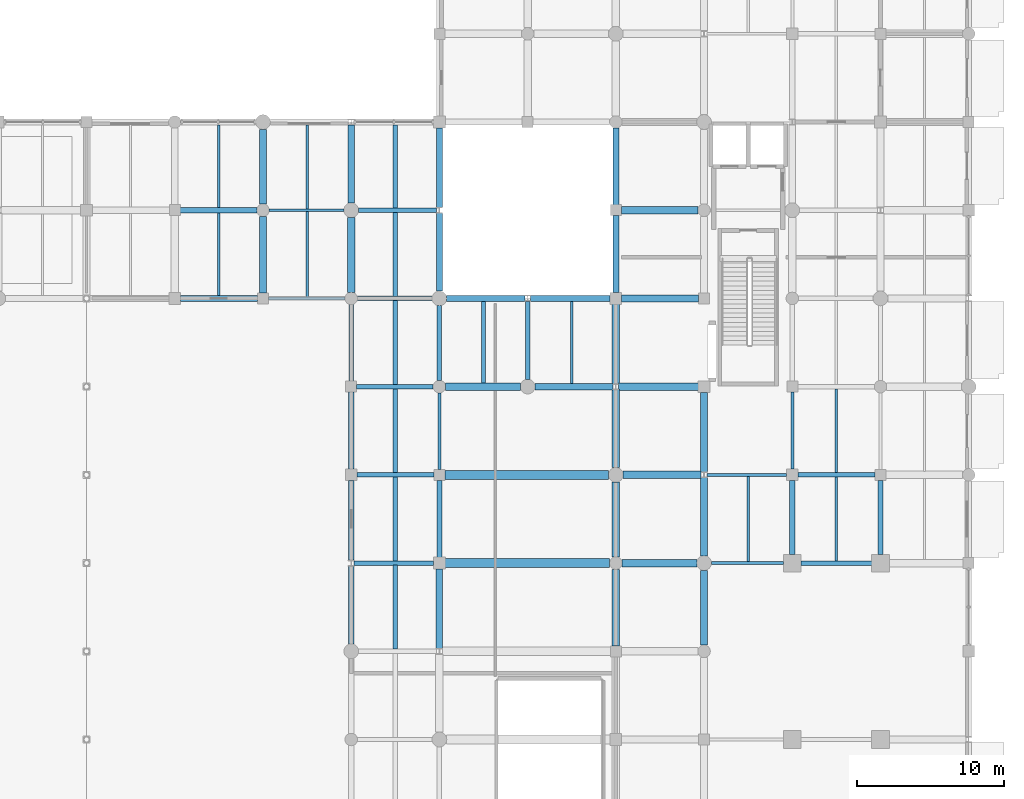
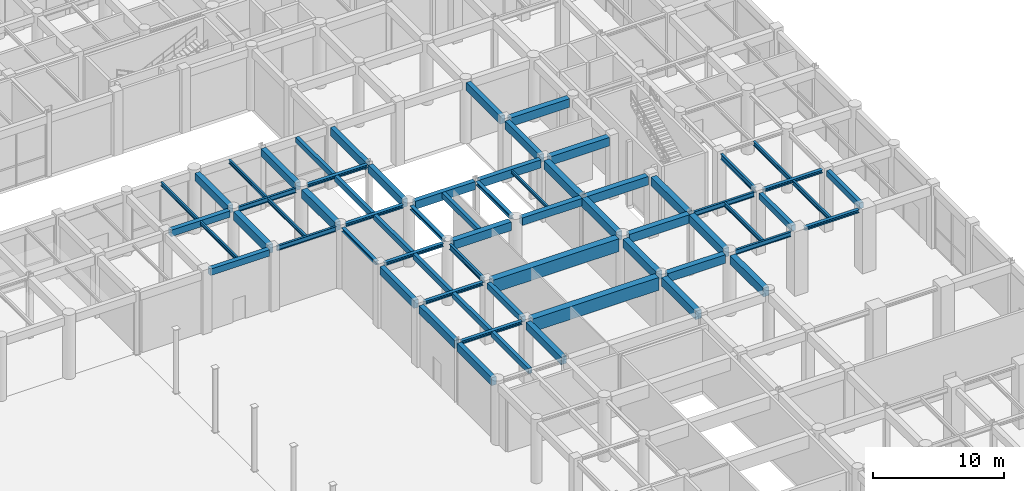
# One storey, part 60 of 106: 66 beams.
"""IFC4 building model written with IfcOpenShell, lengths in metres."""

from ifc_helpers import new_model, si_unit, direction, frame, origin, origin_2d, place, context, subcontext, project, spatial, rectangle, i_section, extrude, material, material_profile, profile_set, type_object, element, save


model = new_model("IFC4")

# Units and contexts
model_context = context("Model", 3, precision=1e-05, world=origin(), true_north=direction((0.0, 1.0)))
body_context = subcontext(model_context, "Body", "Model", "MODEL_VIEW")
ifc_project = project(units=[si_unit("LENGTHUNIT", "METRE"), si_unit("AREAUNIT", "SQUARE_METRE"), si_unit("VOLUMEUNIT", "CUBIC_METRE"), si_unit("PLANEANGLEUNIT", "RADIAN"), si_unit("MASSUNIT", "GRAM", prefix="KILO"), si_unit("THERMODYNAMICTEMPERATUREUNIT", "KELVIN"), si_unit("POWERUNIT", "WATT")], contexts=[model_context])

# Site, building, storey
site_placement = place(None, origin())
site = spatial("IfcSite", under=ifc_project, at=site_placement, CompositionType="ELEMENT")
building_placement = place(site_placement, origin())
building = spatial("IfcBuilding", under=site, at=building_placement, Name="Phaisarnlok Congress Hotel", CompositionType="ELEMENT")
storey_placement = place(building_placement, origin())
storey = spatial("IfcBuildingStorey", under=building, at=storey_placement, Name="L00", CompositionType="ELEMENT", Elevation=0.0)

# Beams
ifc_material_1 = material(Name="Concrete C40/50", Category="concrete")
ifc_material_profile_1 = material_profile(ifc_material_1, rectangle(XDim=0.35009765625, YDim=0.550048828125, at=origin_2d()), Name="RC 350x550")
ifc_profile_set_1 = profile_set([ifc_material_profile_1], Name="Concrete C40/50")
beam_type_1 = type_object("IfcBeamType", Name="BM-RC-350x550", PredefinedType="BEAM", material=ifc_profile_set_1)
beam_1_placement = place(storey_placement, frame((144.0, 66.39501953125, 5.465087890625), z_axis=(0.0, 1.0, 0.0), x_axis=(-1.0, 0.0, 0.0)))
element("IfcBeam", 1, at=beam_1_placement, inside=storey, type_object=beam_type_1, Name="Beam B-01", PredefinedType="BEAM", context=body_context, shape_type="SweptSolid", body=[
    extrude(rectangle(XDim=0.35009765625, YDim=0.550048828125, at=origin_2d()), origin(), (0.0, 0.0, 1.0), 5.23486328125),
])
beam_2_placement = place(storey_placement, frame((168.0, 66.594970703125, 5.465087890625), z_axis=(0.0, 1.0, 0.0), x_axis=(-1.0, 0.0, 0.0)))
element("IfcBeam", 2, at=beam_2_placement, inside=storey, type_object=beam_type_1, Name="Beam B-01", PredefinedType="BEAM", context=body_context, shape_type="SweptSolid", body=[
    extrude(rectangle(XDim=0.35009765625, YDim=0.550048828125, at=origin_2d()), origin(), (0.0, 0.0, 1.0), 5.010009765625),
])
beam_3_placement = place(storey_placement, frame((174.0, 66.594970703125, 5.465087890625), z_axis=(0.0, 1.0, 0.0), x_axis=(-1.0, 0.0, 0.0)))
element("IfcBeam", 3, at=beam_3_placement, inside=storey, type_object=beam_type_1, Name="Beam B-01", PredefinedType="BEAM", context=body_context, shape_type="SweptSolid", body=[
    extrude(rectangle(XDim=0.35009765625, YDim=0.550048828125, at=origin_2d()), origin(), (0.0, 0.0, 1.0), 5.034912109375),
])
ifc_material_profile_2 = material_profile(ifc_material_1, rectangle(XDim=0.39990234375, YDim=0.60009765625, at=origin_2d()), Name="RC 400x600")
ifc_profile_set_2 = profile_set([ifc_material_profile_2], Name="Concrete C40/50")
beam_type_2 = type_object("IfcBeamType", Name="BM-RC-400x600", PredefinedType="BEAM", material=ifc_profile_set_2)
beam_4_placement = place(storey_placement, frame((126.39501953125, 84.0, 5.43994140625), z_axis=(1.0, 0.0, 0.0), x_axis=(0.0, 1.0, 0.0)))
element("IfcBeam", 4, at=beam_4_placement, inside=storey, type_object=beam_type_2, Name="Beam B-02", PredefinedType="BEAM", context=body_context, shape_type="SweptSolid", body=[
    extrude(rectangle(XDim=0.39990234375, YDim=0.60009765625, at=origin_2d()), origin(), (0.0, 0.0, 1.0), 5.23486328125),
])
beam_5_placement = place(storey_placement, frame((126.3701171875, 90.0, 5.43994140625), z_axis=(1.0, 0.0, 0.0), x_axis=(0.0, 1.0, 0.0)))
element("IfcBeam", 5, at=beam_5_placement, inside=storey, type_object=beam_type_2, Name="Beam B-02", PredefinedType="BEAM", context=body_context, shape_type="SweptSolid", body=[
    extrude(rectangle(XDim=0.39990234375, YDim=0.60009765625, at=origin_2d()), origin(), (0.0, 0.0, 1.0), 5.2099609375),
])
ifc_material_profile_3 = material_profile(ifc_material_1, rectangle(XDim=0.449951171875, YDim=0.699951171875, at=origin_2d()), Name="RC 450x700")
ifc_profile_set_3 = profile_set([ifc_material_profile_3], Name="Concrete C40/50")
beam_type_3 = type_object("IfcBeamType", Name="BM-RC-450x700", PredefinedType="BEAM", material=ifc_profile_set_3)
beam_6_placement = place(storey_placement, frame((132.0, 90.419921875, 5.389892578125), z_axis=(0.0, 1.0, 0.0), x_axis=(-1.0, 0.0, 0.0)))
element("IfcBeam", 6, at=beam_6_placement, inside=storey, type_object=beam_type_3, Name="Beam B-03", PredefinedType="BEAM", context=body_context, shape_type="SweptSolid", body=[
    extrude(rectangle(XDim=0.449951171875, YDim=0.699951171875, at=origin_2d()), origin(), (0.0, 0.0, 1.0), 5.0849609375),
])
beam_7_placement = place(storey_placement, frame((138.0, 90.4951171875, 5.389892578125), z_axis=(0.0, 1.0, 0.0), x_axis=(-1.0, 0.0, 0.0)))
element("IfcBeam", 7, at=beam_7_placement, inside=storey, type_object=beam_type_3, Name="Beam B-03", PredefinedType="BEAM", context=body_context, shape_type="SweptSolid", body=[
    extrude(rectangle(XDim=0.449951171875, YDim=0.699951171875, at=origin_2d()), origin(), (0.0, 0.0, 1.0), 5.310302734375),
])
beam_8_placement = place(storey_placement, frame((144.0, 60.194580078125, 5.389892578125), z_axis=(0.0, 1.0, 0.0), x_axis=(-1.0, 0.0, 0.0)))
element("IfcBeam", 8, at=beam_8_placement, inside=storey, type_object=beam_type_3, Name="Beam B-03", PredefinedType="BEAM", context=body_context, shape_type="SweptSolid", body=[
    extrude(rectangle(XDim=0.449951171875, YDim=0.699951171875, at=origin_2d()), origin(), (0.0, 0.0, 1.0), 5.410400390625),
])
beam_9_placement = place(storey_placement, frame((150.4951171875, 78.0, 5.389892578125), z_axis=(1.0, 0.0, 0.0), x_axis=(0.0, 1.0, 0.0)))
element("IfcBeam", 9, at=beam_9_placement, inside=storey, type_object=beam_type_3, Name="Beam B-03", PredefinedType="BEAM", context=body_context, shape_type="SweptSolid", body=[
    extrude(rectangle(XDim=0.449951171875, YDim=0.699951171875, at=origin_2d()), origin(), (0.0, 0.0, 1.0), 5.309326171875),
])
ifc_material_profile_4 = material_profile(ifc_material_1, rectangle(XDim=0.5, YDim=0.800048828125, at=origin_2d()), Name="RC 500x800")
ifc_profile_set_4 = profile_set([ifc_material_profile_4], Name="Concrete C40/50")
beam_type_4 = type_object("IfcBeamType", Name="BM-RC-500x800", PredefinedType="BEAM", material=ifc_profile_set_4)
beam_10_placement = place(storey_placement, frame((132.0, 84.3701171875, 5.340087890625), z_axis=(0.0, 1.0, 0.0), x_axis=(-1.0, 0.0, 0.0)))
element("IfcBeam", 10, at=beam_10_placement, inside=storey, type_object=beam_type_4, Name="Beam B-04", PredefinedType="BEAM", context=body_context, shape_type="SweptSolid", body=[
    extrude(rectangle(XDim=0.5, YDim=0.800048828125, at=origin_2d()), origin(), (0.0, 0.0, 1.0), 5.2099609375),
])
for number, where, z_axis, x_axis, name in (
    (11, (138.0, 84.419921875, 5.340087890625), (0.0, 1.0, 0.0), (-1.0, 0.0, 0.0), "Beam B-04"),
    (12, (144.419921875, 78.0, 5.340087890625), (1.0, 0.0, 0.0), (0.0, 1.0, 0.0), "Beam B-04"),
):
    element("IfcBeam", number, at=place(storey_placement, frame(where, z_axis=z_axis, x_axis=x_axis)), inside=storey, type_object=beam_type_4, Name=name, PredefinedType="BEAM", context=body_context, shape_type="SweptSolid", body=[
        extrude(rectangle(XDim=0.5, YDim=0.800048828125, at=origin_2d()), origin(), (0.0, 0.0, 1.0), 5.0849609375),
    ])
beam_11_placement = place(storey_placement, frame((156.0, 60.3701171875, 5.340087890625), z_axis=(0.0, 1.0, 0.0), x_axis=(-1.0, 0.0, 0.0)))
element("IfcBeam", 13, at=beam_11_placement, inside=storey, type_object=beam_type_4, Name="Beam B-04", PredefinedType="BEAM", context=body_context, shape_type="SweptSolid", body=[
    extrude(rectangle(XDim=0.5, YDim=0.800048828125, at=origin_2d()), origin(), (0.0, 0.0, 1.0), 5.2099609375),
])
for number, where, z_axis, x_axis, name in (
    (14, (156.419921875, 66.0, 5.360107421875), (1.0, 0.0, 0.0), (0.0, 1.0, 0.0), "Beam B-04"),
    (15, (156.0, 66.419921875, 5.340087890625), (0.0, 1.0, 0.0), (-1.0, 0.0, 0.0), "Beam B-04"),
):
    element("IfcBeam", number, at=place(storey_placement, frame(where, z_axis=z_axis, x_axis=x_axis)), inside=storey, type_object=beam_type_4, Name=name, PredefinedType="BEAM", context=body_context, shape_type="SweptSolid", body=[
        extrude(rectangle(XDim=0.5, YDim=0.800048828125, at=origin_2d()), origin(), (0.0, 0.0, 1.0), 5.0849609375),
    ])
beam_12_placement = place(storey_placement, frame((156.4951171875, 72.0, 5.360107421875), z_axis=(1.0, 0.0, 0.0), x_axis=(0.0, 1.0, 0.0)))
element("IfcBeam", 16, at=beam_12_placement, inside=storey, type_object=beam_type_4, Name="Beam B-04", PredefinedType="BEAM", context=body_context, shape_type="SweptSolid", body=[
    extrude(rectangle(XDim=0.5, YDim=0.800048828125, at=origin_2d()), origin(), (0.0, 0.0, 1.0), 5.309326171875),
])
beam_13_placement = place(storey_placement, frame((156.0, 72.4951171875, 5.340087890625), z_axis=(0.0, 1.0, 0.0), x_axis=(-1.0, 0.0, 0.0)))
element("IfcBeam", 17, at=beam_13_placement, inside=storey, type_object=beam_type_4, Name="Beam B-04", PredefinedType="BEAM", context=body_context, shape_type="SweptSolid", body=[
    extrude(rectangle(XDim=0.5, YDim=0.800048828125, at=origin_2d()), origin(), (0.0, 0.0, 1.0), 5.310302734375),
])
beam_14_placement = place(storey_placement, frame((156.195556640625, 78.0, 5.360107421875), z_axis=(1.0, 0.0, 0.0), x_axis=(0.0, 1.0, 0.0)))
element("IfcBeam", 18, at=beam_14_placement, inside=storey, type_object=beam_type_4, Name="Beam B-04", PredefinedType="BEAM", context=body_context, shape_type="SweptSolid", body=[
    extrude(rectangle(XDim=0.5, YDim=0.800048828125, at=origin_2d()), origin(), (0.0, 0.0, 1.0), 5.409423828125),
])
beam_15_placement = place(storey_placement, frame((156.0, 78.194580078125, 5.340087890625), z_axis=(0.0, 1.0, 0.0), x_axis=(-1.0, 0.0, 0.0)))
element("IfcBeam", 19, at=beam_15_placement, inside=storey, type_object=beam_type_4, Name="Beam B-04", PredefinedType="BEAM", context=body_context, shape_type="SweptSolid", body=[
    extrude(rectangle(XDim=0.5, YDim=0.800048828125, at=origin_2d()), origin(), (0.0, 0.0, 1.0), 5.410400390625),
])
beam_16_placement = place(storey_placement, frame((156.39501953125, 84.0, 5.360107421875), z_axis=(1.0, 0.0, 0.0), x_axis=(0.0, 1.0, 0.0)))
element("IfcBeam", 20, at=beam_16_placement, inside=storey, type_object=beam_type_4, Name="Beam B-04", PredefinedType="BEAM", context=body_context, shape_type="SweptSolid", body=[
    extrude(rectangle(XDim=0.5, YDim=0.800048828125, at=origin_2d()), origin(), (0.0, 0.0, 1.0), 5.23486328125),
])
beam_17_placement = place(storey_placement, frame((156.3701171875, 90.0, 5.360107421875), z_axis=(1.0, 0.0, 0.0), x_axis=(0.0, 1.0, 0.0)))
element("IfcBeam", 21, at=beam_17_placement, inside=storey, type_object=beam_type_4, Name="Beam B-04", PredefinedType="BEAM", context=body_context, shape_type="SweptSolid", body=[
    extrude(rectangle(XDim=0.5, YDim=0.800048828125, at=origin_2d()), origin(), (0.0, 0.0, 1.0), 5.2099609375),
])
beam_18_placement = place(storey_placement, frame((162.0, 60.419921875, 5.340087890625), z_axis=(0.0, 1.0, 0.0), x_axis=(-1.0, 0.0, 0.0)))
element("IfcBeam", 22, at=beam_18_placement, inside=storey, type_object=beam_type_4, Name="Beam B-04", PredefinedType="BEAM", context=body_context, shape_type="SweptSolid", body=[
    extrude(rectangle(XDim=0.5, YDim=0.800048828125, at=origin_2d()), origin(), (0.0, 0.0, 1.0), 5.0849609375),
])
beam_19_placement = place(storey_placement, frame((162.0, 66.4951171875, 5.340087890625), z_axis=(0.0, 1.0, 0.0), x_axis=(-1.0, 0.0, 0.0)))
element("IfcBeam", 23, at=beam_19_placement, inside=storey, type_object=beam_type_4, Name="Beam B-04", PredefinedType="BEAM", context=body_context, shape_type="SweptSolid", body=[
    extrude(rectangle(XDim=0.5, YDim=0.800048828125, at=origin_2d()), origin(), (0.0, 0.0, 1.0), 5.310302734375),
])
beam_20_placement = place(storey_placement, frame((162.0, 72.194580078125, 5.340087890625), z_axis=(0.0, 1.0, 0.0), x_axis=(-1.0, 0.0, 0.0)))
element("IfcBeam", 24, at=beam_20_placement, inside=storey, type_object=beam_type_4, Name="Beam B-04", PredefinedType="BEAM", context=body_context, shape_type="SweptSolid", body=[
    extrude(rectangle(XDim=0.5, YDim=0.800048828125, at=origin_2d()), origin(), (0.0, 0.0, 1.0), 5.410400390625),
])
ifc_material_2 = material(Name="Concrete C50/60", Category="concrete")
ifc_material_profile_5 = material_profile(ifc_material_2, rectangle(XDim=0.60009765625, YDim=1.199951171875, at=origin_2d()), Name="RC 600x1200")
ifc_profile_set_5 = profile_set([ifc_material_profile_5], Name="Concrete C50/60")
beam_type_5 = type_object("IfcBeamType", Name="BM-RC-600x1200", PredefinedType="BEAM", material=ifc_profile_set_5)
beam_21_placement = place(storey_placement, frame((144.39501953125, 66.0, 5.139892578125), z_axis=(1.0, 0.0, 0.0), x_axis=(0.0, 1.0, 0.0)))
element("IfcBeam", 25, at=beam_21_placement, inside=storey, type_object=beam_type_5, Name="Ramp bay 12m girder B-06", PredefinedType="BEAM", context=body_context, shape_type="SweptSolid", body=[
    extrude(rectangle(XDim=0.60009765625, YDim=1.199951171875, at=origin_2d()), origin(), (0.0, 0.0, 1.0), 11.18505859375),
])
beam_22_placement = place(storey_placement, frame((144.3701171875, 72.0, 5.139892578125), z_axis=(1.0, 0.0, 0.0), x_axis=(0.0, 1.0, 0.0)))
element("IfcBeam", 26, at=beam_22_placement, inside=storey, type_object=beam_type_5, Name="Ramp bay 12m girder B-06", PredefinedType="BEAM", context=body_context, shape_type="SweptSolid", body=[
    extrude(rectangle(XDim=0.60009765625, YDim=1.199951171875, at=origin_2d()), origin(), (0.0, 0.0, 1.0), 11.134765625),
])
ifc_material_3 = material(Name="Steel S355", Category="steel")
ifc_material_profile_6 = material_profile(ifc_material_3, i_section(OverallWidth=0.300048828125, OverallDepth=0.2900390625, WebThickness=0.008544921875, FlangeThickness=0.013916015625, FilletRadius=0.027099609375, at=origin_2d()), Name="HEA 300")
ifc_profile_set_6 = profile_set([ifc_material_profile_6], Name="Steel S355")
beam_type_6 = type_object("IfcBeamType", Name="BM-STL-HEA300", PredefinedType="BEAM", material=ifc_profile_set_6)
beam_23_placement = place(storey_placement, frame((138.195556640625, 66.0, 5.594970703125), z_axis=(1.0, 0.0, 0.0), x_axis=(0.0, 1.0, 0.0)))
element("IfcBeam", 27, at=beam_23_placement, inside=storey, type_object=beam_type_6, Name="Beam SB-05", PredefinedType="BEAM", context=body_context, shape_type="SweptSolid", body=[
    extrude(i_section(OverallWidth=0.300048828125, OverallDepth=0.2900390625, WebThickness=0.008544921875, FlangeThickness=0.013916015625, FilletRadius=0.027099609375, at=origin_2d()), origin(), (0.0, 0.0, 1.0), 5.409423828125),
])
beam_24_placement = place(storey_placement, frame((138.39501953125, 72.0, 5.594970703125), z_axis=(1.0, 0.0, 0.0), x_axis=(0.0, 1.0, 0.0)))
element("IfcBeam", 28, at=beam_24_placement, inside=storey, type_object=beam_type_6, Name="Beam SB-05", PredefinedType="BEAM", context=body_context, shape_type="SweptSolid", body=[
    extrude(i_section(OverallWidth=0.300048828125, OverallDepth=0.2900390625, WebThickness=0.008544921875, FlangeThickness=0.013916015625, FilletRadius=0.027099609375, at=origin_2d()), origin(), (0.0, 0.0, 1.0), 5.23486328125),
])
beam_25_placement = place(storey_placement, frame((138.3701171875, 78.0, 5.594970703125), z_axis=(1.0, 0.0, 0.0), x_axis=(0.0, 1.0, 0.0)))
element("IfcBeam", 29, at=beam_25_placement, inside=storey, type_object=beam_type_6, Name="Beam SB-05", PredefinedType="BEAM", context=body_context, shape_type="SweptSolid", body=[
    extrude(i_section(OverallWidth=0.300048828125, OverallDepth=0.2900390625, WebThickness=0.008544921875, FlangeThickness=0.013916015625, FilletRadius=0.027099609375, at=origin_2d()), origin(), (0.0, 0.0, 1.0), 5.2099609375),
])
beam_26_placement = place(storey_placement, frame((138.419921875, 84.0, 5.594970703125), z_axis=(1.0, 0.0, 0.0), x_axis=(0.0, 1.0, 0.0)))
element("IfcBeam", 30, at=beam_26_placement, inside=storey, type_object=beam_type_6, Name="Beam SB-05", PredefinedType="BEAM", context=body_context, shape_type="SweptSolid", body=[
    extrude(i_section(OverallWidth=0.300048828125, OverallDepth=0.2900390625, WebThickness=0.008544921875, FlangeThickness=0.013916015625, FilletRadius=0.027099609375, at=origin_2d()), origin(), (0.0, 0.0, 1.0), 5.0849609375),
])
beam_27_placement = place(storey_placement, frame((138.4951171875, 90.0, 5.594970703125), z_axis=(1.0, 0.0, 0.0), x_axis=(0.0, 1.0, 0.0)))
element("IfcBeam", 31, at=beam_27_placement, inside=storey, type_object=beam_type_6, Name="Beam SB-05", PredefinedType="BEAM", context=body_context, shape_type="SweptSolid", body=[
    extrude(i_section(OverallWidth=0.300048828125, OverallDepth=0.2900390625, WebThickness=0.008544921875, FlangeThickness=0.013916015625, FilletRadius=0.027099609375, at=origin_2d()), origin(), (0.0, 0.0, 1.0), 5.309326171875),
])
beam_28_placement = place(storey_placement, frame((168.594970703125, 66.0, 5.594970703125), z_axis=(1.0, 0.0, 0.0), x_axis=(0.0, 1.0, 0.0)))
element("IfcBeam", 32, at=beam_28_placement, inside=storey, type_object=beam_type_6, Name="Beam SB-05", PredefinedType="BEAM", context=body_context, shape_type="SweptSolid", body=[
    extrude(i_section(OverallWidth=0.300048828125, OverallDepth=0.2900390625, WebThickness=0.008544921875, FlangeThickness=0.013916015625, FilletRadius=0.027099609375, at=origin_2d()), origin(), (0.0, 0.0, 1.0), 4.81005859375),
])
beam_29_placement = place(storey_placement, frame((168.39501953125, 72.0, 5.594970703125), z_axis=(1.0, 0.0, 0.0), x_axis=(0.0, 1.0, 0.0)))
element("IfcBeam", 33, at=beam_29_placement, inside=storey, type_object=beam_type_6, Name="Beam SB-05", PredefinedType="BEAM", context=body_context, shape_type="SweptSolid", body=[
    extrude(i_section(OverallWidth=0.300048828125, OverallDepth=0.2900390625, WebThickness=0.008544921875, FlangeThickness=0.013916015625, FilletRadius=0.027099609375, at=origin_2d()), origin(), (0.0, 0.0, 1.0), 5.23486328125),
])
ifc_material_profile_7 = material_profile(ifc_material_3, i_section(OverallWidth=0.300048828125, OverallDepth=0.340087890625, WebThickness=0.011962890625, FlangeThickness=0.021484375, FilletRadius=0.027099609375, at=origin_2d()), Name="HEB 340")
ifc_profile_set_7 = profile_set([ifc_material_profile_7], Name="Steel S355")
beam_type_7 = type_object("IfcBeamType", Name="BM-STL-HEB340", PredefinedType="BEAM", material=ifc_profile_set_7)
beam_30_placement = place(storey_placement, frame((138.0, 78.3701171875, 5.570068359375), z_axis=(0.0, 1.0, 0.0), x_axis=(-1.0, 0.0, 0.0)))
element("IfcBeam", 34, at=beam_30_placement, inside=storey, type_object=beam_type_7, Name="Beam SB-07", PredefinedType="BEAM", context=body_context, shape_type="SweptSolid", body=[
    extrude(i_section(OverallWidth=0.300048828125, OverallDepth=0.340087890625, WebThickness=0.011962890625, FlangeThickness=0.021484375, FilletRadius=0.027099609375, at=origin_2d()), origin(), (0.0, 0.0, 1.0), 5.2099609375),
])
beam_31_placement = place(storey_placement, frame((144.0, 78.419921875, 5.570068359375), z_axis=(0.0, 1.0, 0.0), x_axis=(-1.0, 0.0, 0.0)))
element("IfcBeam", 35, at=beam_31_placement, inside=storey, type_object=beam_type_7, Name="Beam SB-07", PredefinedType="BEAM", context=body_context, shape_type="SweptSolid", body=[
    extrude(i_section(OverallWidth=0.300048828125, OverallDepth=0.340087890625, WebThickness=0.011962890625, FlangeThickness=0.021484375, FilletRadius=0.027099609375, at=origin_2d()), origin(), (0.0, 0.0, 1.0), 5.0849609375),
])
beam_32_placement = place(storey_placement, frame((150.0, 78.4951171875, 5.570068359375), z_axis=(0.0, 1.0, 0.0), x_axis=(-1.0, 0.0, 0.0)))
element("IfcBeam", 36, at=beam_32_placement, inside=storey, type_object=beam_type_7, Name="Beam SB-07", PredefinedType="BEAM", context=body_context, shape_type="SweptSolid", body=[
    extrude(i_section(OverallWidth=0.300048828125, OverallDepth=0.340087890625, WebThickness=0.011962890625, FlangeThickness=0.021484375, FilletRadius=0.027099609375, at=origin_2d()), origin(), (0.0, 0.0, 1.0), 5.310302734375),
])
ifc_material_profile_8 = material_profile(ifc_material_3, i_section(OverallWidth=0.18994140625, OverallDepth=0.449951171875, WebThickness=0.009521484375, FlangeThickness=0.0146484375, FilletRadius=0.02099609375, at=origin_2d()), Name="IPE 450")
ifc_profile_set_8 = profile_set([ifc_material_profile_8], Name="Steel S355")
beam_type_8 = type_object("IfcBeamType", Name="BM-STL-IPE450", PredefinedType="BEAM", material=ifc_profile_set_8)
beam_33_placement = place(storey_placement, frame((132.3701171875, 84.0, 5.514892578125), z_axis=(1.0, 0.0, 0.0), x_axis=(0.0, 1.0, 0.0)))
element("IfcBeam", 37, at=beam_33_placement, inside=storey, type_object=beam_type_8, Name="Beam SB-01", PredefinedType="BEAM", context=body_context, shape_type="SweptSolid", body=[
    extrude(i_section(OverallWidth=0.18994140625, OverallDepth=0.449951171875, WebThickness=0.009521484375, FlangeThickness=0.0146484375, FilletRadius=0.02099609375, at=origin_2d()), origin(), (0.0, 0.0, 1.0), 5.2099609375),
])
beam_34_placement = place(storey_placement, frame((132.419921875, 90.0, 5.514892578125), z_axis=(1.0, 0.0, 0.0), x_axis=(0.0, 1.0, 0.0)))
element("IfcBeam", 38, at=beam_34_placement, inside=storey, type_object=beam_type_8, Name="Beam SB-01", PredefinedType="BEAM", context=body_context, shape_type="SweptSolid", body=[
    extrude(i_section(OverallWidth=0.18994140625, OverallDepth=0.449951171875, WebThickness=0.009521484375, FlangeThickness=0.0146484375, FilletRadius=0.02099609375, at=origin_2d()), origin(), (0.0, 0.0, 1.0), 5.0849609375),
])
beam_35_placement = place(storey_placement, frame((162.4951171875, 66.0, 5.514892578125), z_axis=(1.0, 0.0, 0.0), x_axis=(0.0, 1.0, 0.0)))
element("IfcBeam", 39, at=beam_35_placement, inside=storey, type_object=beam_type_8, Name="Beam SB-01", PredefinedType="BEAM", context=body_context, shape_type="SweptSolid", body=[
    extrude(i_section(OverallWidth=0.18994140625, OverallDepth=0.449951171875, WebThickness=0.009521484375, FlangeThickness=0.0146484375, FilletRadius=0.02099609375, at=origin_2d()), origin(), (0.0, 0.0, 1.0), 4.909912109375),
])
beam_36_placement = place(storey_placement, frame((162.195556640625, 72.0, 5.514892578125), z_axis=(1.0, 0.0, 0.0), x_axis=(0.0, 1.0, 0.0)))
element("IfcBeam", 40, at=beam_36_placement, inside=storey, type_object=beam_type_8, Name="Beam SB-01", PredefinedType="BEAM", context=body_context, shape_type="SweptSolid", body=[
    extrude(i_section(OverallWidth=0.18994140625, OverallDepth=0.449951171875, WebThickness=0.009521484375, FlangeThickness=0.0146484375, FilletRadius=0.02099609375, at=origin_2d()), origin(), (0.0, 0.0, 1.0), 5.409423828125),
])
ifc_material_profile_9 = material_profile(ifc_material_3, i_section(OverallWidth=0.199951171875, OverallDepth=0.5, WebThickness=0.01025390625, FlangeThickness=0.01611328125, FilletRadius=0.02099609375, at=origin_2d()), Name="IPE 500")
ifc_profile_set_9 = profile_set([ifc_material_profile_9], Name="Steel S355")
beam_type_9 = type_object("IfcBeamType", Name="BM-STL-IPE500", PredefinedType="BEAM", material=ifc_profile_set_9)
beam_37_placement = place(storey_placement, frame((144.0, 72.3701171875, 5.489990234375), z_axis=(0.0, 1.0, 0.0), x_axis=(-1.0, 0.0, 0.0)))
element("IfcBeam", 41, at=beam_37_placement, inside=storey, type_object=beam_type_9, Name="Beam SB-02", PredefinedType="BEAM", context=body_context, shape_type="SweptSolid", body=[
    extrude(i_section(OverallWidth=0.199951171875, OverallDepth=0.5, WebThickness=0.01025390625, FlangeThickness=0.01611328125, FilletRadius=0.02099609375, at=origin_2d()), origin(), (0.0, 0.0, 1.0), 5.2099609375),
])
beam_38_placement = place(storey_placement, frame((168.0, 72.39501953125, 5.489990234375), z_axis=(0.0, 1.0, 0.0), x_axis=(-1.0, 0.0, 0.0)))
element("IfcBeam", 42, at=beam_38_placement, inside=storey, type_object=beam_type_9, Name="Beam SB-02", PredefinedType="BEAM", context=body_context, shape_type="SweptSolid", body=[
    extrude(i_section(OverallWidth=0.199951171875, OverallDepth=0.5, WebThickness=0.01025390625, FlangeThickness=0.01611328125, FilletRadius=0.02099609375, at=origin_2d()), origin(), (0.0, 0.0, 1.0), 5.23486328125),
])
ifc_material_profile_10 = material_profile(ifc_material_1, rectangle(XDim=0.300048828125, YDim=0.5, at=origin_2d()), Name="RC 300x500")
ifc_profile_set_10 = profile_set([ifc_material_profile_10], Name="Concrete C40/50")
beam_type_10 = type_object("IfcBeamType", Name="JS-RC-300x500", PredefinedType="JOIST", material=ifc_profile_set_10)
for number, where, z_axis, x_axis, name in (
    (43, (141.0, 60.14501953125, 5.489990234375), (0.0, 1.0, 0.0), (-1.0, 0.0, 0.0), "Secondary floor joist J-01"),
    (44, (141.0, 66.14501953125, 5.489990234375), (0.0, 1.0, 0.0), (-1.0, 0.0, 0.0), "Secondary floor joist J-01"),
    (45, (141.0, 72.14501953125, 5.489990234375), (0.0, 1.0, 0.0), (-1.0, 0.0, 0.0), "Secondary floor joist J-01"),
    (46, (141.0, 78.14501953125, 5.489990234375), (0.0, 1.0, 0.0), (-1.0, 0.0, 0.0), "Secondary floor joist J-01"),
    (47, (141.0, 84.14501953125, 5.489990234375), (0.0, 1.0, 0.0), (-1.0, 0.0, 0.0), "Secondary floor joist J-01"),
):
    element("IfcBeam", number, at=place(storey_placement, frame(where, z_axis=z_axis, x_axis=x_axis)), inside=storey, type_object=beam_type_10, Name=name, PredefinedType="JOIST", context=body_context, shape_type="SweptSolid", body=[
        extrude(rectangle(XDim=0.300048828125, YDim=0.5, at=origin_2d()), origin(), (0.0, 0.0, 1.0), 5.7099609375),
    ])
beam_39_placement = place(storey_placement, frame((141.0, 90.14501953125, 5.489990234375), z_axis=(0.0, 1.0, 0.0), x_axis=(-1.0, 0.0, 0.0)))
element("IfcBeam", 48, at=beam_39_placement, inside=storey, type_object=beam_type_10, Name="Secondary floor joist J-01", PredefinedType="JOIST", context=body_context, shape_type="SweptSolid", body=[
    extrude(rectangle(XDim=0.300048828125, YDim=0.5, at=origin_2d()), origin(), (0.0, 0.0, 1.0), 5.659912109375),
])
beam_40_placement = place(storey_placement, frame((147.0, 78.2451171875, 5.489990234375), z_axis=(0.0, 1.0, 0.0), x_axis=(-1.0, 0.0, 0.0)))
element("IfcBeam", 49, at=beam_40_placement, inside=storey, type_object=beam_type_10, Name="Secondary floor joist J-01", PredefinedType="JOIST", context=body_context, shape_type="SweptSolid", body=[
    extrude(rectangle(XDim=0.300048828125, YDim=0.5, at=origin_2d()), origin(), (0.0, 0.0, 1.0), 5.559814453125),
])
ifc_material_profile_11 = material_profile(ifc_material_3, i_section(OverallWidth=0.14990234375, OverallDepth=0.300048828125, WebThickness=0.007080078125, FlangeThickness=0.0107421875, FilletRadius=0.014892578125, at=origin_2d()), Name="IPE 300")
ifc_profile_set_11 = profile_set([ifc_material_profile_11], Name="Steel S355")
beam_type_11 = type_object("IfcBeamType", Name="JS-STL-IPE300", PredefinedType="JOIST", material=ifc_profile_set_11)
beam_41_placement = place(storey_placement, frame((153.0, 78.219970703125, 5.590087890625), z_axis=(0.0, 1.0, 0.0), x_axis=(-1.0, 0.0, 0.0)))
element("IfcBeam", 50, at=beam_41_placement, inside=storey, type_object=beam_type_11, Name="Secondary floor joist J-03", PredefinedType="JOIST", context=body_context, shape_type="SweptSolid", body=[
    extrude(i_section(OverallWidth=0.14990234375, OverallDepth=0.300048828125, WebThickness=0.007080078125, FlangeThickness=0.0107421875, FilletRadius=0.014892578125, at=origin_2d()), origin(), (0.0, 0.0, 1.0), 5.5849609375),
])
ifc_material_profile_12 = material_profile(ifc_material_3, i_section(OverallWidth=0.169921875, OverallDepth=0.360107421875, WebThickness=0.008056640625, FlangeThickness=0.0126953125, FilletRadius=0.01806640625, at=origin_2d()), Name="IPE 360")
ifc_profile_set_12 = profile_set([ifc_material_profile_12], Name="Steel S355")
beam_type_12 = type_object("IfcBeamType", Name="JS-STL-IPE360", PredefinedType="JOIST", material=ifc_profile_set_12)
for number, where, z_axis, x_axis, name in (
    (51, (129.0, 84.195068359375, 5.56005859375), (0.0, 1.0, 0.0), (-1.0, 0.0, 0.0), "Secondary floor joist J-04"),
    (52, (129.0, 90.195068359375, 5.56005859375), (0.0, 1.0, 0.0), (-1.0, 0.0, 0.0), "Secondary floor joist J-04"),
):
    element("IfcBeam", number, at=place(storey_placement, frame(where, z_axis=z_axis, x_axis=x_axis)), inside=storey, type_object=beam_type_12, Name=name, PredefinedType="JOIST", context=body_context, shape_type="SweptSolid", body=[
        extrude(i_section(OverallWidth=0.169921875, OverallDepth=0.360107421875, WebThickness=0.008056640625, FlangeThickness=0.0126953125, FilletRadius=0.01806640625, at=origin_2d()), origin(), (0.0, 0.0, 1.0), 5.60986328125),
    ])
beam_42_placement = place(storey_placement, frame((135.0, 84.090087890625, 5.56005859375), z_axis=(0.0, 1.0, 0.0), x_axis=(-1.0, 0.0, 0.0)))
element("IfcBeam", 53, at=beam_42_placement, inside=storey, type_object=beam_type_12, Name="Secondary floor joist J-04", PredefinedType="JOIST", context=body_context, shape_type="SweptSolid", body=[
    extrude(i_section(OverallWidth=0.169921875, OverallDepth=0.360107421875, WebThickness=0.008056640625, FlangeThickness=0.0126953125, FilletRadius=0.01806640625, at=origin_2d()), origin(), (0.0, 0.0, 1.0), 5.81982421875),
])
beam_43_placement = place(storey_placement, frame((135.0, 90.090087890625, 5.56005859375), z_axis=(0.0, 1.0, 0.0), x_axis=(-1.0, 0.0, 0.0)))
element("IfcBeam", 54, at=beam_43_placement, inside=storey, type_object=beam_type_12, Name="Secondary floor joist J-04", PredefinedType="JOIST", context=body_context, shape_type="SweptSolid", body=[
    extrude(i_section(OverallWidth=0.169921875, OverallDepth=0.360107421875, WebThickness=0.008056640625, FlangeThickness=0.0126953125, FilletRadius=0.01806640625, at=origin_2d()), origin(), (0.0, 0.0, 1.0), 5.71484375),
])
ifc_material_profile_13 = material_profile(ifc_material_3, i_section(OverallWidth=0.179931640625, OverallDepth=0.39990234375, WebThickness=0.008544921875, FlangeThickness=0.013427734375, FilletRadius=0.02099609375, at=origin_2d()), Name="IPE 400")
ifc_profile_set_13 = profile_set([ifc_material_profile_13], Name="Steel S355")
beam_type_13 = type_object("IfcBeamType", Name="JS-STL-IPE400", PredefinedType="JOIST", material=ifc_profile_set_13)
beam_44_placement = place(storey_placement, frame((165.0, 66.090087890625, 5.5400390625), z_axis=(0.0, 1.0, 0.0), x_axis=(-1.0, 0.0, 0.0)))
element("IfcBeam", 55, at=beam_44_placement, inside=storey, type_object=beam_type_13, Name="Secondary floor joist J-05", PredefinedType="JOIST", context=body_context, shape_type="SweptSolid", body=[
    extrude(i_section(OverallWidth=0.179931640625, OverallDepth=0.39990234375, WebThickness=0.008544921875, FlangeThickness=0.013427734375, FilletRadius=0.02099609375, at=origin_2d()), origin(), (0.0, 0.0, 1.0), 5.81982421875),
])
for number, where, z_axis, x_axis, name in (
    (56, (171.0, 66.14501953125, 5.5400390625), (0.0, 1.0, 0.0), (-1.0, 0.0, 0.0), "Secondary floor joist J-05"),
    (57, (171.0, 72.14501953125, 5.5400390625), (0.0, 1.0, 0.0), (-1.0, 0.0, 0.0), "Secondary floor joist J-05"),
):
    element("IfcBeam", number, at=place(storey_placement, frame(where, z_axis=z_axis, x_axis=x_axis)), inside=storey, type_object=beam_type_13, Name=name, PredefinedType="JOIST", context=body_context, shape_type="SweptSolid", body=[
        extrude(i_section(OverallWidth=0.179931640625, OverallDepth=0.39990234375, WebThickness=0.008544921875, FlangeThickness=0.013427734375, FilletRadius=0.02099609375, at=origin_2d()), origin(), (0.0, 0.0, 1.0), 5.7099609375),
    ])
ifc_material_profile_14 = material_profile(ifc_material_1, rectangle(XDim=0.39990234375, YDim=0.75, at=origin_2d()), Name="RC 400x750")
ifc_profile_set_14 = profile_set([ifc_material_profile_14], Name="Concrete C40/50")
beam_type_14 = type_object("IfcBeamType", Name="SP-RC-400x750", PredefinedType="SPANDREL", material=ifc_profile_set_14)
beam_45_placement = place(storey_placement, frame((138.0, 60.4951171875, 5.364990234375), z_axis=(0.0, 1.0, 0.0), x_axis=(-1.0, 0.0, 0.0)))
element("IfcBeam", 58, at=beam_45_placement, inside=storey, type_object=beam_type_14, Name="Beam SP-02", PredefinedType="SPANDREL", context=body_context, shape_type="SweptSolid", body=[
    extrude(rectangle(XDim=0.39990234375, YDim=0.75, at=origin_2d()), origin(), (0.0, 0.0, 1.0), 5.310302734375),
])
beam_46_placement = place(storey_placement, frame((138.0, 66.194580078125, 5.364990234375), z_axis=(0.0, 1.0, 0.0), x_axis=(-1.0, 0.0, 0.0)))
element("IfcBeam", 59, at=beam_46_placement, inside=storey, type_object=beam_type_14, Name="Beam SP-02", PredefinedType="SPANDREL", context=body_context, shape_type="SweptSolid", body=[
    extrude(rectangle(XDim=0.39990234375, YDim=0.75, at=origin_2d()), origin(), (0.0, 0.0, 1.0), 5.410400390625),
])
beam_47_placement = place(storey_placement, frame((138.0, 72.39501953125, 5.364990234375), z_axis=(0.0, 1.0, 0.0), x_axis=(-1.0, 0.0, 0.0)))
element("IfcBeam", 60, at=beam_47_placement, inside=storey, type_object=beam_type_14, Name="Beam SP-02", PredefinedType="SPANDREL", context=body_context, shape_type="SweptSolid", body=[
    extrude(rectangle(XDim=0.39990234375, YDim=0.75, at=origin_2d()), origin(), (0.0, 0.0, 1.0), 5.23486328125),
])
beam_48_placement = place(storey_placement, frame((144.4951171875, 84.0, 5.364990234375), z_axis=(1.0, 0.0, 0.0), x_axis=(0.0, 1.0, 0.0)))
element("IfcBeam", 61, at=beam_48_placement, inside=storey, type_object=beam_type_14, Name="Beam SP-02", PredefinedType="SPANDREL", context=body_context, shape_type="SweptSolid", body=[
    extrude(rectangle(XDim=0.39990234375, YDim=0.75, at=origin_2d()), origin(), (0.0, 0.0, 1.0), 5.309326171875),
])
beam_49_placement = place(storey_placement, frame((144.0, 84.4951171875, 5.364990234375), z_axis=(0.0, 1.0, 0.0), x_axis=(-1.0, 0.0, 0.0)))
element("IfcBeam", 62, at=beam_49_placement, inside=storey, type_object=beam_type_14, Name="Beam SP-02", PredefinedType="SPANDREL", context=body_context, shape_type="SweptSolid", body=[
    extrude(rectangle(XDim=0.39990234375, YDim=0.75, at=origin_2d()), origin(), (0.0, 0.0, 1.0), 5.310302734375),
])
beam_50_placement = place(storey_placement, frame((144.0, 90.194580078125, 5.364990234375), z_axis=(0.0, 1.0, 0.0), x_axis=(-1.0, 0.0, 0.0)))
element("IfcBeam", 63, at=beam_50_placement, inside=storey, type_object=beam_type_14, Name="Beam SP-02", PredefinedType="SPANDREL", context=body_context, shape_type="SweptSolid", body=[
    extrude(rectangle(XDim=0.39990234375, YDim=0.75, at=origin_2d()), origin(), (0.0, 0.0, 1.0), 5.410400390625),
])
beam_51_placement = place(storey_placement, frame((150.195556640625, 84.0, 5.364990234375), z_axis=(1.0, 0.0, 0.0), x_axis=(0.0, 1.0, 0.0)))
element("IfcBeam", 64, at=beam_51_placement, inside=storey, type_object=beam_type_14, Name="Beam SP-02", PredefinedType="SPANDREL", context=body_context, shape_type="SweptSolid", body=[
    extrude(rectangle(XDim=0.39990234375, YDim=0.75, at=origin_2d()), origin(), (0.0, 0.0, 1.0), 5.409423828125),
])
beam_52_placement = place(storey_placement, frame((156.0, 84.39501953125, 5.385009765625), z_axis=(0.0, 1.0, 0.0), x_axis=(-1.0, 0.0, 0.0)))
element("IfcBeam", 65, at=beam_52_placement, inside=storey, type_object=beam_type_14, Name="Beam SP-02", PredefinedType="SPANDREL", context=body_context, shape_type="SweptSolid", body=[
    extrude(rectangle(XDim=0.39990234375, YDim=0.75, at=origin_2d()), origin(), (0.0, 0.0, 1.0), 5.23486328125),
])
beam_53_placement = place(storey_placement, frame((156.0, 90.3701171875, 5.385009765625), z_axis=(0.0, 1.0, 0.0), x_axis=(-1.0, 0.0, 0.0)))
element("IfcBeam", 66, at=beam_53_placement, inside=storey, type_object=beam_type_14, Name="Beam SP-02", PredefinedType="SPANDREL", context=body_context, shape_type="SweptSolid", body=[
    extrude(rectangle(XDim=0.39990234375, YDim=0.75, at=origin_2d()), origin(), (0.0, 0.0, 1.0), 5.2099609375),
])

save(model, "model.ifc")
